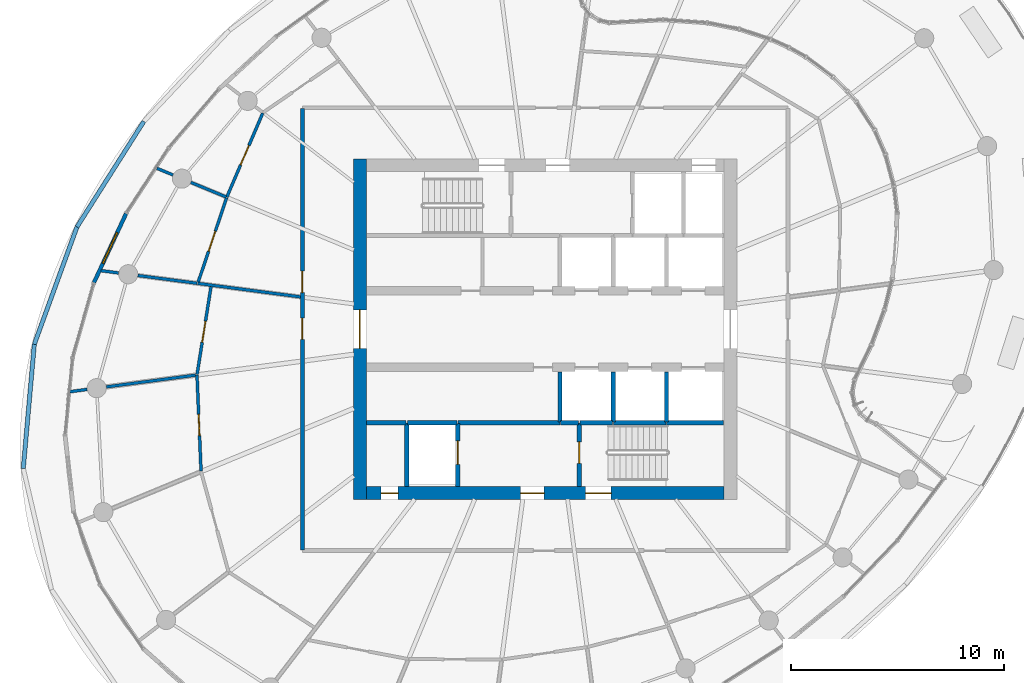
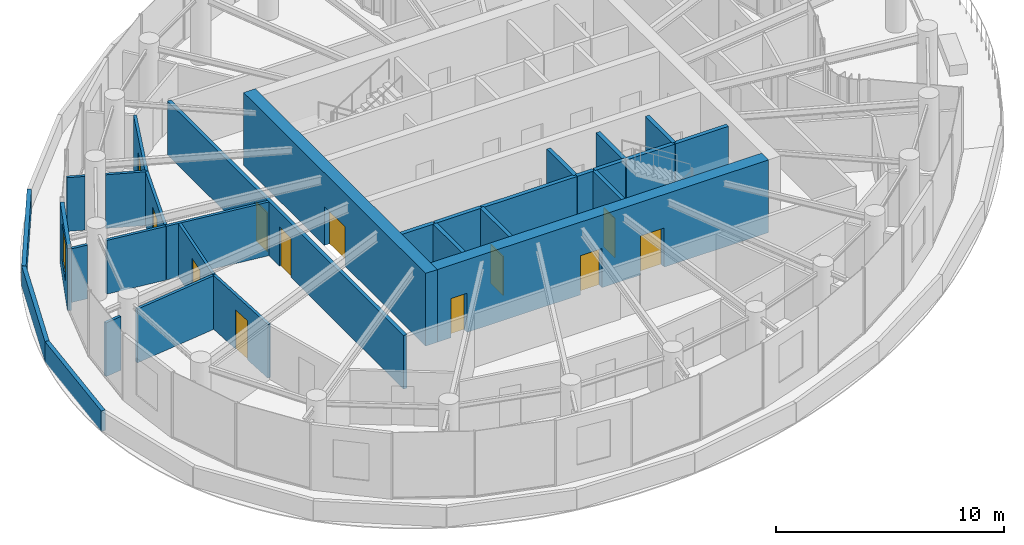
# One storey, part 12 of 19: 31 walls, 12 doors, 1 window, 13 openings.
"""IFC4 building model written with IfcOpenShell, lengths in metres."""

from ifc_helpers import new_model, si_unit, direction, frame, frame_2d, origin, place, context, subcontext, project, spatial, rectangle, extrude, source, transform, mapped, material, layer, layer_set, type_object, element, fill, save


model = new_model("IFC4")

# Units and contexts
model_context = context("Model", 3, precision=1e-05, world=origin(), true_north=direction((0.0, 1.0)))
body_context = subcontext(model_context, "Body", "Model", "MODEL_VIEW")
ifc_project = project(units=[si_unit("LENGTHUNIT", "METRE"), si_unit("AREAUNIT", "SQUARE_METRE"), si_unit("VOLUMEUNIT", "CUBIC_METRE"), si_unit("PLANEANGLEUNIT", "RADIAN"), si_unit("MASSUNIT", "GRAM", prefix="KILO")], contexts=[model_context])

# Site, building, storey
site_placement = place(None, origin())
site = spatial("IfcSite", under=ifc_project, at=site_placement, CompositionType="ELEMENT")
building_placement = place(site_placement, origin())
building = spatial("IfcBuilding", under=site, at=building_placement, Name="Spindrift Exchange Tower", CompositionType="ELEMENT")
storey_placement = place(building_placement, frame((0.0, 0.0, 183.800048828125)))
storey = spatial("IfcBuildingStorey", under=building, at=storey_placement, Name="L44", CompositionType="ELEMENT", Elevation=183.800048828125)

# Walls
ifc_material_1 = material(Name="Concrete 40 MPa", Category="concrete")
ifc_layer_1 = layer(ifc_material_1, 0.199951171875)
ifc_layer_set_1 = layer_set([ifc_layer_1], Name="LEDGE PARAPET 1100")
wall_type_1 = type_object("IfcWallType", Name="LEDGE PARAPET 1100", PredefinedType="PARAPET", material=ifc_layer_set_1)
wall_1_placement = place(storey_placement, frame((27.489990234375, 41.453369140625, 0.0), z_axis=(0.0, 0.0, 1.0), x_axis=(0.088543466757, 0.996072313888, 0.0)))
element("IfcWall", 1, at=wall_1_placement, inside=storey, type_object=wall_type_1, Name="L44 Ledge Parapet 11", PredefinedType="PARAPET", context=body_context, shape_type="SweptSolid", body=[
    extrude(rectangle(XDim=5.8564453125, YDim=0.199951171875, at=frame_2d((2.92822265625, 0.0))), origin(), (0.0, 0.0, 1.0), 1.099853515625),
])
wall_2_placement = place(storey_placement, frame((28.008544921875, 47.286865234375, 0.0), z_axis=(0.0, 0.0, 1.0), x_axis=(0.341549130931, 0.939863921619, 0.0)))
element("IfcWall", 2, at=wall_2_placement, inside=storey, type_object=wall_type_1, Name="L44 Ledge Parapet 12", PredefinedType="PARAPET", context=body_context, shape_type="SweptSolid", body=[
    extrude(rectangle(XDim=5.86279296875, YDim=0.199951171875, at=frame_2d((2.931396484375, 0.0))), origin(), (0.0, 0.0, 1.0), 1.099853515625),
])
wall_3_placement = place(storey_placement, frame((30.010986328125, 52.797119140625, 0.0), z_axis=(0.0, 0.0, 1.0), x_axis=(0.535248094724, 0.844694901781, 0.0)))
element("IfcWall", 3, at=wall_3_placement, inside=storey, type_object=wall_type_1, Name="L44 Ledge Parapet 13", PredefinedType="PARAPET", context=body_context, shape_type="SweptSolid", body=[
    extrude(rectangle(XDim=5.86669921875, YDim=0.199951171875, at=frame_2d((2.933349609375, 0.0))), origin(), (0.0, 0.0, 1.0), 1.099853515625),
])

# Wall, opening, door
ifc_material_2 = material(Name="Concrete 50 MPa", Category="concrete")
ifc_layer_2 = layer(ifc_material_2, 0.60009765625)
ifc_layer_set_2 = layer_set([ifc_layer_2], Name="RC Core Wall 600 Concrete 50 MPa")
wall_type_2 = type_object("IfcWallType", Name="RC Core Wall 600 Concrete 50 MPa", PredefinedType="SHEAR", material=ifc_layer_set_2)
wall_4_placement = place(storey_placement, frame((43.300048828125, 56.0, 0.0), z_axis=(0.0, 0.0, 1.0), x_axis=(0.0, -1.0, 0.0)))
wall_4 = element("IfcWall", 4, at=wall_4_placement, inside=storey, type_object=wall_type_2, Name="Core wall W L44", PredefinedType="SHEAR", context=body_context, shape_type="SweptSolid", body=[
    extrude(rectangle(XDim=16.0, YDim=0.60009765625, at=frame_2d((8.0, 0.0))), origin(), (0.0, 0.0, 1.0), 3.89990234375),
])
opening_1_placement = place(wall_4_placement, frame((7.10009765625, 0.0, 0.0)))
opening_1 = element("IfcOpeningElement", 5, at=opening_1_placement, cuts=wall_4, Name="Opening L44-D1", PredefinedType="OPENING", context=body_context, shape_type="SweptSolid", body=[
    extrude(rectangle(XDim=1.800048828125, YDim=2.10009765625, at=frame_2d((0.89990234375, 1.050048828125))), frame((0.0, 0.31005859375, 0.0), z_axis=(0.0, -1.0, 0.0), x_axis=(1.0, 0.0, 0.0)), (0.0, 0.0, 1.0), 0.6201171875),
])
ifc_material_3 = material(Name="Timber-core fire door", Category="wood")
door_type_1 = type_object("IfcDoorType", Name="DR-LOBBY-1800", OperationType="NOTDEFINED", PredefinedType="DOOR", material=ifc_material_3)
shared_shape_1 = source(origin(), body_context, "Body", "SweptSolid", [
    extrude(rectangle(XDim=1.800048828125, YDim=2.10009765625, at=frame_2d((0.89990234375, 1.050048828125))), frame((0.0, 0.02490234375, 0.0), z_axis=(0.0, -1.0, 0.0), x_axis=(1.0, 0.0, 0.0)), (0.0, 0.0, 1.0), 0.050048828125),
])
door_1_placement = place(opening_1_placement, origin())
door_1 = element("IfcDoor", 6, at=door_1_placement, inside=storey, type_object=door_type_1, Name="L44 Lobby door 1", OperationType="SINGLE_SWING_LEFT", OverallHeight=2.10009765625, OverallWidth=1.800048828125, PredefinedType="DOOR", context=body_context, shape_type="MappedRepresentation", body=[
    mapped(shared_shape_1, transform((0.0, 0.0, 0.0), scale=1.0)),
])
fill(opening_1, door_1)

# Wall, openings, doors
wall_5_placement = place(storey_placement, frame((43.60009765625, 40.300048828125, 0.0), z_axis=(0.0, 0.0, 1.0), x_axis=(1.0, 0.0, 0.0)))
wall_5 = element("IfcWall", 7, at=wall_5_placement, inside=storey, type_object=wall_type_2, Name="Core wall S L44", PredefinedType="SHEAR", context=body_context, shape_type="SweptSolid", body=[
    extrude(rectangle(XDim=16.7998046875, YDim=0.60009765625, at=frame_2d((8.39990234375, 0.0))), origin(), (0.0, 0.0, 1.0), 3.89990234375),
])
opening_2_placement = place(wall_5_placement, frame((10.300048828125, 0.0, 0.0)))
opening_2 = element("IfcOpeningElement", 8, at=opening_2_placement, cuts=wall_5, Name="Opening L44-D15", PredefinedType="OPENING", context=body_context, shape_type="SweptSolid", body=[
    extrude(rectangle(XDim=1.199951171875, YDim=2.10009765625, at=frame_2d((0.60009765625, 1.050048828125))), frame((0.0, 0.31005859375, 0.0), z_axis=(0.0, -1.0, 0.0), x_axis=(1.0, 0.0, 0.0)), (0.0, 0.0, 1.0), 0.6201171875),
])
opening_3_placement = place(wall_5_placement, frame((7.25, 0.0, 0.0)))
opening_3 = element("IfcOpeningElement", 9, at=opening_3_placement, cuts=wall_5, Name="Opening L44-D17", PredefinedType="OPENING", context=body_context, shape_type="SweptSolid", body=[
    extrude(rectangle(XDim=1.10009765625, YDim=2.10009765625, at=frame_2d((0.550048828125, 1.050048828125))), frame((0.0, 0.31005859375, 0.0), z_axis=(0.0, -1.0, 0.0), x_axis=(1.0, 0.0, 0.0)), (0.0, 0.0, 1.0), 0.6201171875),
])
opening_4_placement = place(wall_5_placement, frame((0.699951171875, 0.0, 0.0)))
opening_4 = element("IfcOpeningElement", 10, at=opening_4_placement, cuts=wall_5, Name="Opening L44-D18", PredefinedType="OPENING", context=body_context, shape_type="SweptSolid", body=[
    extrude(rectangle(XDim=0.800048828125, YDim=2.10009765625, at=frame_2d((0.39990234375, 1.050048828125))), frame((0.0, 0.31005859375, 0.0), z_axis=(0.0, -1.0, 0.0), x_axis=(1.0, 0.0, 0.0)), (0.0, 0.0, 1.0), 0.6201171875),
])
ifc_material_4 = material(Name="Steel fire door", Category="steel")
door_type_2 = type_object("IfcDoorType", Name="DR-STAIR-1200", OperationType="NOTDEFINED", PredefinedType="DOOR", material=ifc_material_4)
shared_shape_2 = source(origin(), body_context, "Body", "SweptSolid", [
    extrude(rectangle(XDim=1.199951171875, YDim=2.10009765625, at=frame_2d((0.60009765625, 1.050048828125))), frame((0.0, 0.02490234375, 0.0), z_axis=(0.0, -1.0, 0.0), x_axis=(1.0, 0.0, 0.0)), (0.0, 0.0, 1.0), 0.050048828125),
])
door_2_placement = place(opening_2_placement, origin())
door_2 = element("IfcDoor", 11, at=door_2_placement, inside=storey, type_object=door_type_2, Name="L44 Stair door 15", OperationType="SINGLE_SWING_RIGHT", OverallHeight=2.10009765625, OverallWidth=1.199951171875, PredefinedType="DOOR", context=body_context, shape_type="MappedRepresentation", body=[
    mapped(shared_shape_2, transform((0.0, 0.0, 0.0), scale=1.0)),
])
fill(opening_2, door_2)
door_type_3 = type_object("IfcDoorType", Name="DR-LOBBY-1100", OperationType="NOTDEFINED", PredefinedType="DOOR", material=ifc_material_3)
shared_shape_3 = source(origin(), body_context, "Body", "SweptSolid", [
    extrude(rectangle(XDim=1.10009765625, YDim=2.10009765625, at=frame_2d((0.550048828125, 1.050048828125))), frame((0.0, 0.02490234375, 0.0), z_axis=(0.0, -1.0, 0.0), x_axis=(1.0, 0.0, 0.0)), (0.0, 0.0, 1.0), 0.050048828125),
])
door_3_placement = place(opening_3_placement, origin())
door_3 = element("IfcDoor", 12, at=door_3_placement, inside=storey, type_object=door_type_3, Name="L44 Lobby door 17", OperationType="SINGLE_SWING_RIGHT", OverallHeight=2.10009765625, OverallWidth=1.10009765625, PredefinedType="DOOR", context=body_context, shape_type="MappedRepresentation", body=[
    mapped(shared_shape_3, transform((0.0, 0.0, 0.0), scale=1.0)),
])
fill(opening_3, door_3)
ifc_material_5 = material(Name="Steel access door", Category="steel")
door_type_4 = type_object("IfcDoorType", Name="DR-RISER-800", OperationType="NOTDEFINED", PredefinedType="DOOR", material=ifc_material_5)
shared_shape_4 = source(origin(), body_context, "Body", "SweptSolid", [
    extrude(rectangle(XDim=0.800048828125, YDim=2.10009765625, at=frame_2d((0.39990234375, 1.050048828125))), frame((0.0, 0.02490234375, 0.0), z_axis=(0.0, -1.0, 0.0), x_axis=(1.0, 0.0, 0.0)), (0.0, 0.0, 1.0), 0.050048828125),
])
door_4_placement = place(opening_4_placement, origin())
door_4 = element("IfcDoor", 13, at=door_4_placement, inside=storey, type_object=door_type_4, Name="L44 Riser door 18", OperationType="SINGLE_SWING_LEFT", OverallHeight=2.10009765625, OverallWidth=0.800048828125, PredefinedType="DOOR", context=body_context, shape_type="MappedRepresentation", body=[
    mapped(shared_shape_4, transform((0.0, 0.0, 0.0), scale=1.0)),
])
fill(opening_4, door_4)

# Wall, opening, window
ifc_material_6 = material(Name="Bronze anodised aluminium frame with fritted laminated glass spandrel", Category="aluminium")
ifc_layer_3 = layer(ifc_material_6, 0.179931640625)
ifc_layer_set_3 = layer_set([ifc_layer_3], Name="UNITISED FRAME WALL TO BEAM SOFFIT")
wall_type_3 = type_object("IfcWallType", Name="UNITISED FRAME WALL TO BEAM SOFFIT", PredefinedType="STANDARD", material=ifc_layer_set_3)
wall_6_placement = place(storey_placement, frame((32.318115234375, 53.426025390625, 0.0), z_axis=(0.0, 0.0, 1.0), x_axis=(-0.422137917225, -0.906531620431, 0.0)))
wall_6 = element("IfcWall", 14, at=wall_6_placement, inside=storey, type_object=wall_type_3, Name="L44 Frame Wall 8", PredefinedType="STANDARD", context=body_context, shape_type="SweptSolid", body=[
    extrude(rectangle(XDim=3.576416015625, YDim=0.179931640625, at=frame_2d((1.7880859375, 0.0))), origin(), (0.0, 0.0, 1.0), 3.327880859375),
])
opening_5_placement = place(wall_6_placement, frame((0.98828125, 0.0, 0.89990234375)))
opening_5 = element("IfcOpeningElement", 15, at=opening_5_placement, cuts=wall_6, Name="Opening WV44-03", PredefinedType="OPENING", context=body_context, shape_type="SweptSolid", body=[
    extrude(rectangle(XDim=1.60009765625, YDim=2.0, at=frame_2d((0.800048828125, 1.0))), frame((0.0, 0.099853515625, 0.0), z_axis=(0.0, -1.0, 0.0), x_axis=(1.0, 0.0, 0.0)), (0.0, 0.0, 1.0), 0.199951171875),
])
ifc_material_7 = material(Name="Clear laminated low-iron glass in bronze frame", Category="glass")
window_type = type_object("IfcWindowType", Name="OPERABLE CLEAR VENT 1600X2000", PartitioningType="SINGLE_PANEL", PredefinedType="WINDOW", material=ifc_material_7)
shared_shape_5 = source(origin(), body_context, "Body", "SweptSolid", [
    extrude(rectangle(XDim=1.60009765625, YDim=2.0, at=frame_2d((0.800048828125, 1.0))), frame((0.0, 0.030029296875, 0.0), z_axis=(0.0, -1.0, 0.0), x_axis=(1.0, 0.0, 0.0)), (0.0, 0.0, 1.0), 0.06005859375),
])
window_placement = place(opening_5_placement, origin())
window = element("IfcWindow", 16, at=window_placement, inside=storey, type_object=window_type, Name="L44 Operable Vent WV44-03", OverallHeight=2.0, OverallWidth=1.60009765625, PartitioningType="SINGLE_PANEL", PredefinedType="WINDOW", context=body_context, shape_type="MappedRepresentation", body=[
    mapped(shared_shape_5, transform((0.0, 0.0, 0.0), scale=1.0)),
])
fill(opening_5, window)

# Wall, openings, doors
ifc_material_8 = material(Name="Fire-rated plasterboard partition", Category="gypsum")
ifc_layer_4 = layer(ifc_material_8, 0.179931640625)
ifc_layer_set_4 = layer_set([ifc_layer_4], Name="W-CORR-180")
wall_type_4 = type_object("IfcWallType", Name="W-CORR-180", PredefinedType="PARTITIONING", material=ifc_layer_set_4)
wall_7_placement = place(storey_placement, frame((40.60009765625, 37.6298828125, 0.0), z_axis=(0.0, 0.0, 1.0), x_axis=(0.0, 1.0, 0.0)))
wall_7 = element("IfcWall", 17, at=wall_7_placement, inside=storey, type_object=wall_type_4, Name="L44 Partition wall 30", PredefinedType="PARTITIONING", context=body_context, shape_type="SweptSolid", body=[
    extrude(rectangle(XDim=20.740234375, YDim=0.179931640625, at=frame_2d((10.3701171875, 0.0))), origin(), (0.0, 0.0, 1.0), 2.8798828125),
])
opening_6_placement = place(wall_7_placement, frame((12.090087890625, 0.0, 0.0)))
opening_6 = element("IfcOpeningElement", 18, at=opening_6_placement, cuts=wall_7, Name="Opening L44-D25", PredefinedType="OPENING", context=body_context, shape_type="SweptSolid", body=[
    extrude(rectangle(XDim=1.0, YDim=2.10009765625, at=frame_2d((0.5, 1.050048828125))), frame((0.0, 0.099853515625, 0.0), z_axis=(0.0, -1.0, 0.0), x_axis=(1.0, 0.0, 0.0)), (0.0, 0.0, 1.0), 0.199951171875),
])
opening_7_placement = place(wall_7_placement, frame((9.889892578125, 0.0, 0.0)))
opening_7 = element("IfcOpeningElement", 19, at=opening_7_placement, cuts=wall_7, Name="Opening L44-D29", PredefinedType="OPENING", context=body_context, shape_type="SweptSolid", body=[
    extrude(rectangle(XDim=1.0, YDim=2.10009765625, at=frame_2d((0.5, 1.050048828125))), frame((0.0, 0.099853515625, 0.0), z_axis=(0.0, -1.0, 0.0), x_axis=(1.0, 0.0, 0.0)), (0.0, 0.0, 1.0), 0.199951171875),
])
door_type_5 = type_object("IfcDoorType", Name="DR-ROOM-1000", OperationType="NOTDEFINED", PredefinedType="DOOR", material=ifc_material_3)
shared_shape_6 = source(origin(), body_context, "Body", "SweptSolid", [
    extrude(rectangle(XDim=1.0, YDim=2.10009765625, at=frame_2d((0.5, 1.050048828125))), frame((0.0, 0.02490234375, 0.0), z_axis=(0.0, -1.0, 0.0), x_axis=(1.0, 0.0, 0.0)), (0.0, 0.0, 1.0), 0.050048828125),
])
door_5_placement = place(opening_6_placement, origin())
door_5 = element("IfcDoor", 20, at=door_5_placement, inside=storey, type_object=door_type_5, Name="L44 Door 25", OperationType="SINGLE_SWING_RIGHT", OverallHeight=2.10009765625, OverallWidth=1.0, PredefinedType="DOOR", context=body_context, shape_type="MappedRepresentation", body=[
    mapped(shared_shape_6, transform((0.0, 0.0, 0.0), scale=1.0)),
])
fill(opening_6, door_5)
door_6_placement = place(opening_7_placement, origin())
door_6 = element("IfcDoor", 21, at=door_6_placement, inside=storey, type_object=door_type_5, Name="L44 Door 29", OperationType="SINGLE_SWING_RIGHT", OverallHeight=2.10009765625, OverallWidth=1.0, PredefinedType="DOOR", context=body_context, shape_type="MappedRepresentation", body=[
    mapped(shared_shape_6, transform((0.0, 0.0, 0.0), scale=1.0)),
])
fill(opening_7, door_6)

# Wall
ifc_layer_5 = layer(ifc_material_8, 0.139892578125)
ifc_layer_set_5 = layer_set([ifc_layer_5], Name="W-PART-140")
wall_type_5 = type_object("IfcWallType", Name="W-PART-140", PredefinedType="PARTITIONING", material=ifc_layer_set_5)
wall_8_placement = place(storey_placement, frame((35.683837890625, 50.148193359375, 0.0), z_axis=(0.0, 0.0, 1.0), x_axis=(0.991441658538, -0.130550517866, 0.0)))
element("IfcWall", 22, at=wall_8_placement, inside=storey, type_object=wall_type_5, Name="L44 Partition wall 32", PredefinedType="PARTITIONING", context=body_context, shape_type="SweptSolid", body=[
    extrude(rectangle(XDim=4.867919921875, YDim=0.139892578125, at=frame_2d((2.43408203125, 0.0))), origin(), (0.0, 0.0, 1.0), 2.8798828125),
])

# Wall, opening, door
wall_9_placement = place(storey_placement, frame((35.83837890625, 41.336181640625, 0.0), z_axis=(0.0, 0.0, 1.0), x_axis=(-0.042012878169, 0.999117069251, 0.0)))
wall_9 = element("IfcWall", 23, at=wall_9_placement, inside=storey, type_object=wall_type_5, Name="L44 Partition wall 37", PredefinedType="PARTITIONING", context=body_context, shape_type="SweptSolid", body=[
    extrude(rectangle(XDim=4.51513671875, YDim=0.139892578125, at=frame_2d((2.257568359375, 0.0))), origin(), (0.0, 0.0, 1.0), 2.8798828125),
])
opening_8_placement = place(wall_9_placement, frame((1.665283203125, 0.0, 0.0)))
opening_8 = element("IfcOpeningElement", 24, at=opening_8_placement, cuts=wall_9, Name="Opening L44-D31", PredefinedType="OPENING", context=body_context, shape_type="SweptSolid", body=[
    extrude(rectangle(XDim=1.0, YDim=2.10009765625, at=frame_2d((0.5, 1.050048828125))), frame((0.0, 0.079833984375, 0.0), z_axis=(0.0, -1.0, 0.0), x_axis=(1.0, 0.0, 0.0)), (0.0, 0.0, 1.0), 0.159912109375),
])
door_7_placement = place(opening_8_placement, origin())
door_7 = element("IfcDoor", 25, at=door_7_placement, inside=storey, type_object=door_type_5, Name="L44 Door 31", OperationType="SINGLE_SWING_RIGHT", OverallHeight=2.10009765625, OverallWidth=1.0, PredefinedType="DOOR", context=body_context, shape_type="MappedRepresentation", body=[
    mapped(shared_shape_6, transform((0.0, 0.0, 0.0), scale=1.0)),
])
fill(opening_8, door_7)

wall_10_placement = place(storey_placement, frame((37.047119140625, 54.193603515625, 0.0), z_axis=(0.0, 0.0, 1.0), x_axis=(0.393178046525, 0.919462355799, 0.0)))
wall_10 = element("IfcWall", 26, at=wall_10_placement, inside=storey, type_object=wall_type_5, Name="L44 Partition wall 41", PredefinedType="PARTITIONING", context=body_context, shape_type="SweptSolid", body=[
    extrude(rectangle(XDim=4.293701171875, YDim=0.139892578125, at=frame_2d((2.14697265625, 0.0))), origin(), (0.0, 0.0, 1.0), 2.8798828125),
])
opening_9_placement = place(wall_10_placement, frame((1.643798828125, 0.0, 0.0)))
opening_9 = element("IfcOpeningElement", 27, at=opening_9_placement, cuts=wall_10, Name="Opening L44-D27", PredefinedType="OPENING", context=body_context, shape_type="SweptSolid", body=[
    extrude(rectangle(XDim=1.0, YDim=2.10009765625, at=frame_2d((0.5, 1.050048828125))), frame((0.0, 0.079833984375, 0.0), z_axis=(0.0, -1.0, 0.0), x_axis=(1.0, 0.0, 0.0)), (0.0, 0.0, 1.0), 0.159912109375),
])
door_8_placement = place(opening_9_placement, origin())
door_8 = element("IfcDoor", 28, at=door_8_placement, inside=storey, type_object=door_type_5, Name="L44 Door 27", OperationType="SINGLE_SWING_RIGHT", OverallHeight=2.10009765625, OverallWidth=1.0, PredefinedType="DOOR", context=body_context, shape_type="MappedRepresentation", body=[
    mapped(shared_shape_6, transform((0.0, 0.0, 0.0), scale=1.0)),
])
fill(opening_9, door_8)

# Wall
wall_11_placement = place(storey_placement, frame((35.5791015625, 45.838134765625, 0.0), z_axis=(0.0, 0.0, 1.0), x_axis=(-0.991444463544, -0.130529214005, 0.0)))
element("IfcWall", 29, at=wall_11_placement, inside=storey, type_object=wall_type_5, Name="L44 Partition wall 44", PredefinedType="PARTITIONING", context=body_context, shape_type="SweptSolid", body=[
    extrude(rectangle(XDim=4.22705078125, YDim=0.139892578125, at=frame_2d((2.113525390625, 0.0))), origin(), (0.0, 0.0, 1.0), 2.8798828125),
])

# Wall, opening, door
wall_12_placement = place(storey_placement, frame((35.6533203125, 45.876953125, 0.0), z_axis=(0.0, 0.0, 1.0), x_axis=(0.15660891281, 0.98766069499, 0.0)))
wall_12 = element("IfcWall", 30, at=wall_12_placement, inside=storey, type_object=wall_type_5, Name="L44 Partition wall 45", PredefinedType="PARTITIONING", context=body_context, shape_type="SweptSolid", body=[
    extrude(rectangle(XDim=4.170166015625, YDim=0.139892578125, at=frame_2d((2.0849609375, 0.0))), origin(), (0.0, 0.0, 1.0), 2.8798828125),
])
opening_10_placement = place(wall_12_placement, frame((1.52001953125, 0.0, 0.0)))
opening_10 = element("IfcOpeningElement", 31, at=opening_10_placement, cuts=wall_12, Name="Opening L44-D30", PredefinedType="OPENING", context=body_context, shape_type="SweptSolid", body=[
    extrude(rectangle(XDim=1.0, YDim=2.10009765625, at=frame_2d((0.5, 1.050048828125))), frame((0.0, 0.079833984375, 0.0), z_axis=(0.0, -1.0, 0.0), x_axis=(1.0, 0.0, 0.0)), (0.0, 0.0, 1.0), 0.159912109375),
])
door_9_placement = place(opening_10_placement, origin())
door_9 = element("IfcDoor", 32, at=door_9_placement, inside=storey, type_object=door_type_5, Name="L44 Door 30", OperationType="SINGLE_SWING_LEFT", OverallHeight=2.10009765625, OverallWidth=1.0, PredefinedType="DOOR", context=body_context, shape_type="MappedRepresentation", body=[
    mapped(shared_shape_6, transform((0.0, 0.0, 0.0), scale=1.0)),
])
fill(opening_10, door_9)

wall_13_placement = place(storey_placement, frame((35.706787109375, 50.2158203125, 0.0), z_axis=(0.0, 0.0, 1.0), x_axis=(0.319319104698, 0.947647249442, 0.0)))
wall_13 = element("IfcWall", 33, at=wall_13_placement, inside=storey, type_object=wall_type_5, Name="L44 Partition wall 46", PredefinedType="PARTITIONING", context=body_context, shape_type="SweptSolid", body=[
    extrude(rectangle(XDim=4.167724609375, YDim=0.139892578125, at=frame_2d((2.083984375, 0.0))), origin(), (0.0, 0.0, 1.0), 2.8798828125),
])
opening_11_placement = place(wall_13_placement, frame((1.517822265625, 0.0, 0.0)))
opening_11 = element("IfcOpeningElement", 34, at=opening_11_placement, cuts=wall_13, Name="Opening L44-D28", PredefinedType="OPENING", context=body_context, shape_type="SweptSolid", body=[
    extrude(rectangle(XDim=1.0, YDim=2.10009765625, at=frame_2d((0.5, 1.050048828125))), frame((0.0, 0.079833984375, 0.0), z_axis=(0.0, -1.0, 0.0), x_axis=(1.0, 0.0, 0.0)), (0.0, 0.0, 1.0), 0.159912109375),
])
door_10_placement = place(opening_11_placement, origin())
door_10 = element("IfcDoor", 35, at=door_10_placement, inside=storey, type_object=door_type_5, Name="L44 Door 28", OperationType="SINGLE_SWING_LEFT", OverallHeight=2.10009765625, OverallWidth=1.0, PredefinedType="DOOR", context=body_context, shape_type="MappedRepresentation", body=[
    mapped(shared_shape_6, transform((0.0, 0.0, 0.0), scale=1.0)),
])
fill(opening_11, door_10)

# Walls
wall_14_placement = place(storey_placement, frame((32.86962890625, 50.5185546875, 0.0), z_axis=(0.0, 0.0, 1.0), x_axis=(0.991450448598, -0.130483746019, 0.0)))
element("IfcWall", 36, at=wall_14_placement, inside=storey, type_object=wall_type_5, Name="L44 Partition wall 60", PredefinedType="PARTITIONING", context=body_context, shape_type="SweptSolid", body=[
    extrude(rectangle(XDim=2.808349609375, YDim=0.139892578125, at=frame_2d((1.404296875, 0.0))), origin(), (0.0, 0.0, 1.0), 2.8798828125),
])
wall_15_placement = place(storey_placement, frame((37.01953125, 54.205078125, 0.0), z_axis=(0.0, 0.0, 1.0), x_axis=(-0.923867642226, 0.382712136791, 0.0)))
element("IfcWall", 37, at=wall_15_placement, inside=storey, type_object=wall_type_5, Name="L44 Partition wall 73", PredefinedType="PARTITIONING", context=body_context, shape_type="SweptSolid", body=[
    extrude(rectangle(XDim=1.795166015625, YDim=0.139892578125, at=frame_2d((0.8974609375, 0.0))), origin(), (0.0, 0.0, 1.0), 2.8798828125),
])
wall_16_placement = place(storey_placement, frame((31.968505859375, 50.63720703125, 0.0), z_axis=(0.0, 0.0, 1.0), x_axis=(-0.991427230184, 0.130660044583, 0.0)))
element("IfcWall", 38, at=wall_16_placement, inside=storey, type_object=wall_type_5, Name="L44 Partition wall 84", PredefinedType="PARTITIONING", context=body_context, shape_type="SweptSolid", body=[
    extrude(rectangle(XDim=0.82958984375, YDim=0.139892578125, at=frame_2d((0.414794921875, 0.0))), origin(), (0.0, 0.0, 1.0), 2.8798828125),
])
wall_17_placement = place(storey_placement, frame((30.487060546875, 45.167724609375, 0.0), z_axis=(0.0, 0.0, 1.0), x_axis=(-0.991441191387, -0.130554065513, 0.0)))
element("IfcWall", 39, at=wall_17_placement, inside=storey, type_object=wall_type_5, Name="L44 Partition wall 85", PredefinedType="PARTITIONING", context=body_context, shape_type="SweptSolid", body=[
    extrude(rectangle(XDim=0.82470703125, YDim=0.139892578125, at=frame_2d((0.412353515625, 0.0))), origin(), (0.0, 0.0, 1.0), 2.8798828125),
])
wall_18_placement = place(storey_placement, frame((34.520263671875, 55.240478515625, 0.0), z_axis=(0.0, 0.0, 1.0), x_axis=(-0.92398761999, 0.382422381806, 0.0)))
element("IfcWall", 40, at=wall_18_placement, inside=storey, type_object=wall_type_5, Name="L44 Partition wall 87", PredefinedType="PARTITIONING", context=body_context, shape_type="SweptSolid", body=[
    extrude(rectangle(XDim=0.814697265625, YDim=0.139892578125, at=frame_2d((0.4072265625, 0.0))), origin(), (0.0, 0.0, 1.0), 2.8798828125),
])
ifc_layer_6 = layer(ifc_material_1, 0.199951171875)
ifc_layer_set_6 = layer_set([ifc_layer_6], Name="W-SHAFT-200")
wall_type_6 = type_object("IfcWallType", Name="W-SHAFT-200", PredefinedType="SOLIDWALL", material=ifc_layer_set_6)
wall_19_placement = place(storey_placement, frame((52.699951171875, 43.60009765625, 0.0), z_axis=(0.0, 0.0, 1.0), x_axis=(-1.0, 0.0, 0.0)))
element("IfcWall", 41, at=wall_19_placement, inside=storey, type_object=wall_type_6, Name="L44 Shaft wall 2", PredefinedType="SOLIDWALL", context=body_context, shape_type="SweptSolid", body=[
    extrude(rectangle(XDim=4.800048828125, YDim=0.199951171875, at=frame_2d((2.39990234375, 0.0))), origin(), (0.0, 0.0, 1.0), 3.579833984375),
])
wall_20_placement = place(storey_placement, frame((45.5, 43.60009765625, 0.0), z_axis=(0.0, 0.0, 1.0), x_axis=(0.0, -1.0, 0.0)))
element("IfcWall", 42, at=wall_20_placement, inside=storey, type_object=wall_type_6, Name="L44 Shaft wall 3", PredefinedType="SOLIDWALL", context=body_context, shape_type="SweptSolid", body=[
    extrude(rectangle(XDim=2.97998046875, YDim=0.199951171875, at=frame_2d((1.489990234375, 0.0))), origin(), (0.0, 0.0, 1.0), 3.579833984375),
])

# Wall, opening, door
wall_21_placement = place(storey_placement, frame((47.89990234375, 40.6201171875, 0.0), z_axis=(0.0, 0.0, 1.0), x_axis=(0.0, 1.0, 0.0)))
wall_21 = element("IfcWall", 43, at=wall_21_placement, inside=storey, type_object=wall_type_6, Name="L44 Shaft wall 4", PredefinedType="SOLIDWALL", context=body_context, shape_type="SweptSolid", body=[
    extrude(rectangle(XDim=2.949951171875, YDim=0.199951171875, at=frame_2d((1.47509765625, 0.0))), origin(), (0.0, 0.0, 1.0), 3.579833984375),
])
opening_12_placement = place(wall_21_placement, frame((1.030029296875, 0.0, 0.0)))
opening_12 = element("IfcOpeningElement", 44, at=opening_12_placement, cuts=wall_21, Name="Opening L44-D10", PredefinedType="OPENING", context=body_context, shape_type="SweptSolid", body=[
    extrude(rectangle(XDim=1.10009765625, YDim=2.10009765625, at=frame_2d((0.550048828125, 1.050048828125))), frame((0.0, 0.10986328125, 0.0), z_axis=(0.0, -1.0, 0.0), x_axis=(1.0, 0.0, 0.0)), (0.0, 0.0, 1.0), 0.219970703125),
])
ifc_material_9 = material(Name="Stainless steel landing door", Category="steel")
door_type_6 = type_object("IfcDoorType", Name="DR-LANDING-1100-SL", OperationType="DOUBLE_DOOR_SLIDING", PredefinedType="USERDEFINED", material=ifc_material_9)
shared_shape_7 = source(origin(), body_context, "Body", "SweptSolid", [
    extrude(rectangle(XDim=1.10009765625, YDim=2.10009765625, at=frame_2d((0.550048828125, 1.050048828125))), frame((0.0, 0.02490234375, 0.0), z_axis=(0.0, -1.0, 0.0), x_axis=(1.0, 0.0, 0.0)), (0.0, 0.0, 1.0), 0.050048828125),
])
door_11_placement = place(opening_12_placement, origin())
door_11 = element("IfcDoor", 45, at=door_11_placement, inside=storey, type_object=door_type_6, Name="L44 Lift landing door 10", ObjectType="LANDING DOOR", OperationType="DOUBLE_DOOR_SLIDING", OverallHeight=2.10009765625, OverallWidth=1.10009765625, PredefinedType="USERDEFINED", context=body_context, shape_type="MappedRepresentation", body=[
    mapped(shared_shape_7, transform((0.0, 0.0, 0.0), scale=1.0)),
])
fill(opening_12, door_11)

# Walls
wall_22_placement = place(storey_placement, frame((47.8701171875, 43.60009765625, 0.0), z_axis=(0.0, 0.0, 1.0), x_axis=(-1.0, 0.0, 0.0)))
element("IfcWall", 46, at=wall_22_placement, inside=storey, type_object=wall_type_6, Name="L44 Shaft wall 12", PredefinedType="SOLIDWALL", context=body_context, shape_type="SweptSolid", body=[
    extrude(rectangle(XDim=2.340087890625, YDim=0.199951171875, at=frame_2d((1.169921875, 0.0))), origin(), (0.0, 0.0, 1.0), 3.579833984375),
])
wall_23_placement = place(storey_placement, frame((52.699951171875, 45.989990234375, 0.0), z_axis=(0.0, 0.0, 1.0), x_axis=(0.0, -1.0, 0.0)))
element("IfcWall", 47, at=wall_23_placement, inside=storey, type_object=wall_type_6, Name="L44 Shaft wall 13", PredefinedType="SOLIDWALL", context=body_context, shape_type="SweptSolid", body=[
    extrude(rectangle(XDim=2.360107421875, YDim=0.199951171875, at=frame_2d((1.18017578125, 0.0))), origin(), (0.0, 0.0, 1.0), 3.579833984375),
])
wall_24_placement = place(storey_placement, frame((45.469970703125, 43.60009765625, 0.0), z_axis=(0.0, 0.0, 1.0), x_axis=(-1.0, 0.0, 0.0)))
element("IfcWall", 48, at=wall_24_placement, inside=storey, type_object=wall_type_6, Name="L44 Shaft wall 20", PredefinedType="SOLIDWALL", context=body_context, shape_type="SweptSolid", body=[
    extrude(rectangle(XDim=1.849853515625, YDim=0.199951171875, at=frame_2d((0.9248046875, 0.0))), origin(), (0.0, 0.0, 1.0), 3.579833984375),
])

# Wall, opening, door
ifc_layer_7 = layer(ifc_material_1, 0.199951171875)
ifc_layer_set_7 = layer_set([ifc_layer_7], Name="W-SHAFT-200-LB")
wall_type_7 = type_object("IfcWallType", Name="W-SHAFT-200-LB", PredefinedType="SOLIDWALL", material=ifc_layer_set_7)
wall_25_placement = place(storey_placement, frame((53.60009765625, 43.60009765625, 0.0), z_axis=(0.0, 0.0, 1.0), x_axis=(0.0, -1.0, 0.0)))
wall_25 = element("IfcWall", 49, at=wall_25_placement, inside=storey, type_object=wall_type_7, Name="L44 Shaft wall 6", PredefinedType="SOLIDWALL", context=body_context, shape_type="SweptSolid", body=[
    extrude(rectangle(XDim=2.97998046875, YDim=0.199951171875, at=frame_2d((1.489990234375, 0.0))), origin(), (0.0, 0.0, 1.0), 3.579833984375),
])
opening_13_placement = place(wall_25_placement, frame((0.89990234375, 0.0, 0.0)))
opening_13 = element("IfcOpeningElement", 50, at=opening_13_placement, cuts=wall_25, Name="Opening L44-D16", PredefinedType="OPENING", context=body_context, shape_type="SweptSolid", body=[
    extrude(rectangle(XDim=1.0, YDim=2.10009765625, at=frame_2d((0.5, 1.050048828125))), frame((0.0, 0.10986328125, 0.0), z_axis=(0.0, -1.0, 0.0), x_axis=(1.0, 0.0, 0.0)), (0.0, 0.0, 1.0), 0.219970703125),
])
door_type_7 = type_object("IfcDoorType", Name="DR-STAIR-1000", OperationType="NOTDEFINED", PredefinedType="DOOR", material=ifc_material_4)
shared_shape_8 = source(origin(), body_context, "Body", "SweptSolid", [
    extrude(rectangle(XDim=1.0, YDim=2.10009765625, at=frame_2d((0.5, 1.050048828125))), frame((0.0, 0.02490234375, 0.0), z_axis=(0.0, -1.0, 0.0), x_axis=(1.0, 0.0, 0.0)), (0.0, 0.0, 1.0), 0.050048828125),
])
door_12_placement = place(opening_13_placement, origin())
door_12 = element("IfcDoor", 51, at=door_12_placement, inside=storey, type_object=door_type_7, Name="L44 Stair door 16", OperationType="SINGLE_SWING_LEFT", OverallHeight=2.10009765625, OverallWidth=1.0, PredefinedType="DOOR", context=body_context, shape_type="MappedRepresentation", body=[
    mapped(shared_shape_8, transform((0.0, 0.0, 0.0), scale=1.0)),
])
fill(opening_13, door_12)

# Walls
wall_26_placement = place(storey_placement, frame((57.699951171875, 43.60009765625, 0.0), z_axis=(0.0, 0.0, 1.0), x_axis=(1.0, 0.0, 0.0)))
element("IfcWall", 52, at=wall_26_placement, inside=storey, type_object=wall_type_7, Name="L44 Shaft wall 9", PredefinedType="SOLIDWALL", context=body_context, shape_type="SweptSolid", body=[
    extrude(rectangle(XDim=2.679931640625, YDim=0.199951171875, at=frame_2d((1.33984375, 0.0))), origin(), (0.0, 0.0, 1.0), 3.579833984375),
])
wall_27_placement = place(storey_placement, frame((55.199951171875, 43.60009765625, 0.0), z_axis=(0.0, 0.0, 1.0), x_axis=(1.0, 0.0, 0.0)))
element("IfcWall", 53, at=wall_27_placement, inside=storey, type_object=wall_type_7, Name="L44 Shaft wall 11", PredefinedType="SOLIDWALL", context=body_context, shape_type="SweptSolid", body=[
    extrude(rectangle(XDim=2.469970703125, YDim=0.199951171875, at=frame_2d((1.23486328125, 0.0))), origin(), (0.0, 0.0, 1.0), 3.579833984375),
])
for number, where, z_axis, x_axis, name in (
    (54, (55.199951171875, 43.6298828125, 0.0), (0.0, 0.0, 1.0), (0.0, 1.0, 0.0), "L44 Shaft wall 15"),
    (55, (57.699951171875, 43.6298828125, 0.0), (0.0, 0.0, 1.0), (0.0, 1.0, 0.0), "L44 Shaft wall 17"),
):
    element("IfcWall", number, at=place(storey_placement, frame(where, z_axis=z_axis, x_axis=x_axis)), inside=storey, type_object=wall_type_7, Name=name, PredefinedType="SOLIDWALL", context=body_context, shape_type="SweptSolid", body=[
        extrude(rectangle(XDim=2.360107421875, YDim=0.199951171875, at=frame_2d((1.18017578125, 0.0))), origin(), (0.0, 0.0, 1.0), 3.579833984375),
    ])
wall_28_placement = place(storey_placement, frame((53.6298828125, 43.60009765625, 0.0), z_axis=(0.0, 0.0, 1.0), x_axis=(1.0, 0.0, 0.0)))
element("IfcWall", 56, at=wall_28_placement, inside=storey, type_object=wall_type_7, Name="L44 Shaft wall 22", PredefinedType="SOLIDWALL", context=body_context, shape_type="SweptSolid", body=[
    extrude(rectangle(XDim=1.5400390625, YDim=0.199951171875, at=frame_2d((0.77001953125, 0.0))), origin(), (0.0, 0.0, 1.0), 3.579833984375),
])
wall_29_placement = place(storey_placement, frame((52.72998046875, 43.60009765625, 0.0), z_axis=(0.0, 0.0, 1.0), x_axis=(1.0, 0.0, 0.0)))
element("IfcWall", 57, at=wall_29_placement, inside=storey, type_object=wall_type_7, Name="L44 Shaft wall 24", PredefinedType="SOLIDWALL", context=body_context, shape_type="SweptSolid", body=[
    extrude(rectangle(XDim=0.840087890625, YDim=0.199951171875, at=frame_2d((0.419921875, 0.0))), origin(), (0.0, 0.0, 1.0), 3.579833984375),
])

save(model, "model.ifc")
